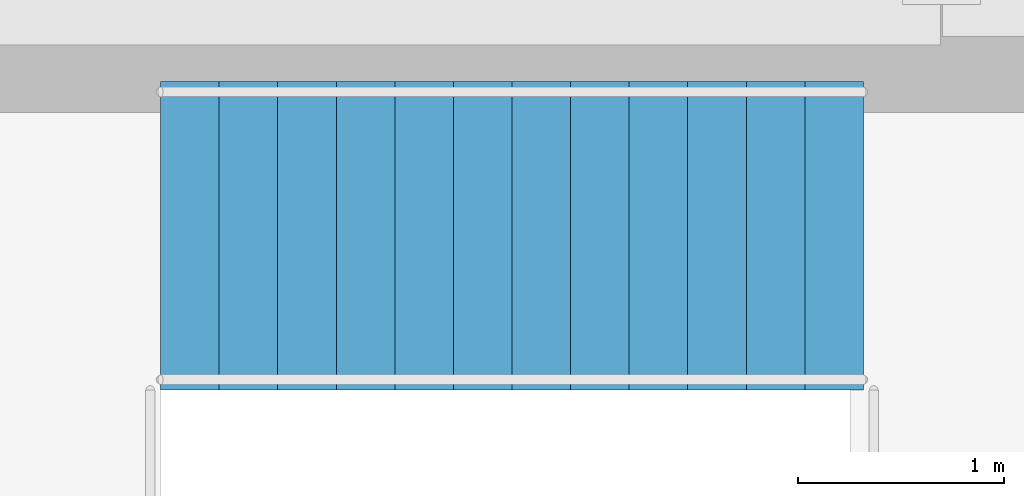
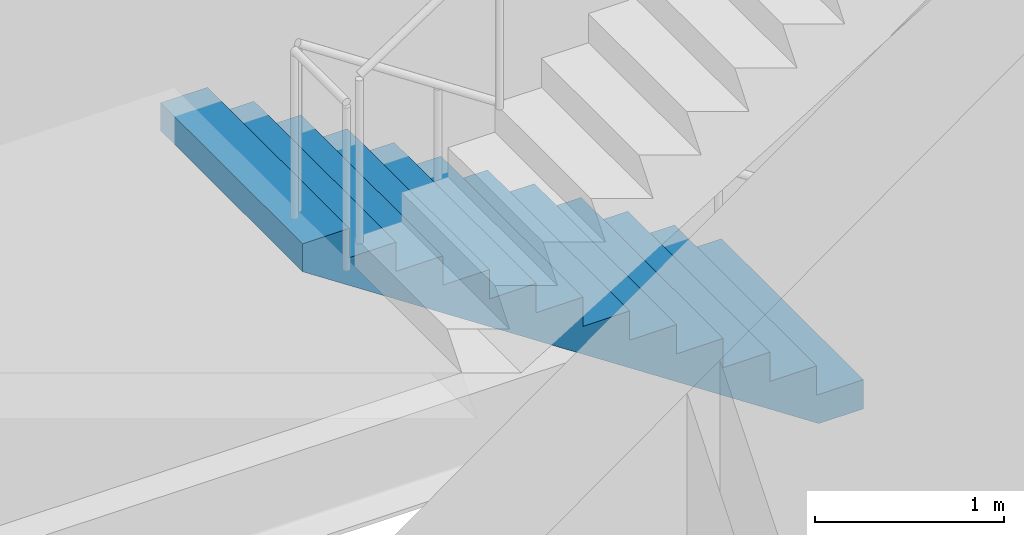
# One storey, part 7 of 9: 1 stair flight, 1 element without a shape of its own.
"""IFC4 building model written with IfcOpenShell, lengths in metres."""

from ifc_helpers import new_model, si_unit, direction, frame, origin, place, context, subcontext, project, spatial, polyline, outline, extrude, material, type_object, element, aggregate, save


model = new_model("IFC4")

# Units and contexts
model_context = context("Model", 3, precision=1e-05, world=origin(), true_north=direction((0.0, 1.0)))
body_context = subcontext(model_context, "Body", "Model", "MODEL_VIEW")
ifc_project = project(units=[si_unit("LENGTHUNIT", "METRE"), si_unit("AREAUNIT", "SQUARE_METRE"), si_unit("VOLUMEUNIT", "CUBIC_METRE"), si_unit("PLANEANGLEUNIT", "RADIAN"), si_unit("MASSUNIT", "GRAM", prefix="KILO")], contexts=[model_context])

# Site, building, storey
site_placement = place(None, origin())
site = spatial("IfcSite", under=ifc_project, at=site_placement, CompositionType="ELEMENT")
building_placement = place(site_placement, origin())
building = spatial("IfcBuilding", under=site, at=building_placement, Name="Cobrela Telecom Tower", CompositionType="ELEMENT")
storey_placement = place(building_placement, frame((0.0, 0.0, 92.75)))
storey = spatial("IfcBuildingStorey", under=building, at=storey_placement, Name="L23", CompositionType="ELEMENT", Elevation=92.75)

# Stair, stair flight
ifc_material = material(Name="Concrete C40/50", Category="concrete")
stair_type = type_object("IfcStairType", Name="STAIR-CORE", PredefinedType="HALF_TURN_STAIR", material=ifc_material)
stair_placement = place(storey_placement, origin())
stair = element("IfcStair", 1, at=stair_placement, inside=storey, type_object=stair_type, Name="L23 Smokeproof Exit Stair ST1", PredefinedType="HALF_TURN_STAIR")
stair_flight_type = type_object("IfcStairFlightType", Name="FLIGHT-CORE", PredefinedType="STRAIGHT", material=ifc_material)
stair_flight_placement = place(storey_placement, frame((6.820068359375, 34.800048828125, 0.0), z_axis=(0.0, 0.0, 1.0), x_axis=(-1.0, 0.0, 0.0)))
stair_flight = element("IfcStairFlight", 2, at=stair_flight_placement, type_object=stair_flight_type, Name="ST1 flight 1", NumberOfRisers=13, NumberOfTreads=12, PredefinedType="STRAIGHT", RiserHeight=0.188461538, TreadLength=0.285, context=body_context, shape_type="SweptSolid", body=[
    extrude(outline(polyline([(0.0, 0.0), (0.0, 0.1884765625), (0.284912109375, 0.1884765625), (0.284912109375, 0.376953125), (0.570068359375, 0.376953125), (0.570068359375, 0.5654296875), (0.85498046875, 0.5654296875), (0.85498046875, 0.75390625), (1.139892578125, 0.75390625), (1.139892578125, 0.9423828125), (1.425048828125, 0.9423828125), (1.425048828125, 1.130859375), (1.7099609375, 1.130859375), (1.7099609375, 1.3193359375), (1.9951171875, 1.3193359375), (1.9951171875, 1.5078125), (2.280029296875, 1.5078125), (2.280029296875, 1.696044921875), (2.56494140625, 1.696044921875), (2.56494140625, 1.884521484375), (2.85009765625, 1.884521484375), (2.85009765625, 2.072998046875), (3.135009765625, 2.072998046875), (3.135009765625, 2.261474609375), (3.419921875, 2.261474609375), (3.419921875, 2.449951171875), (3.419921875, 2.081787109375), (0.271728515625, 0.0), (0.0, 0.0)])), frame((0.0, 0.75, 0.0), z_axis=(0.0, -1.0, 0.0), x_axis=(1.0, 0.0, 0.0)), (0.0, 0.0, 1.0), 1.5),
])
aggregate(stair, [stair_flight])

save(model, "model.ifc")
